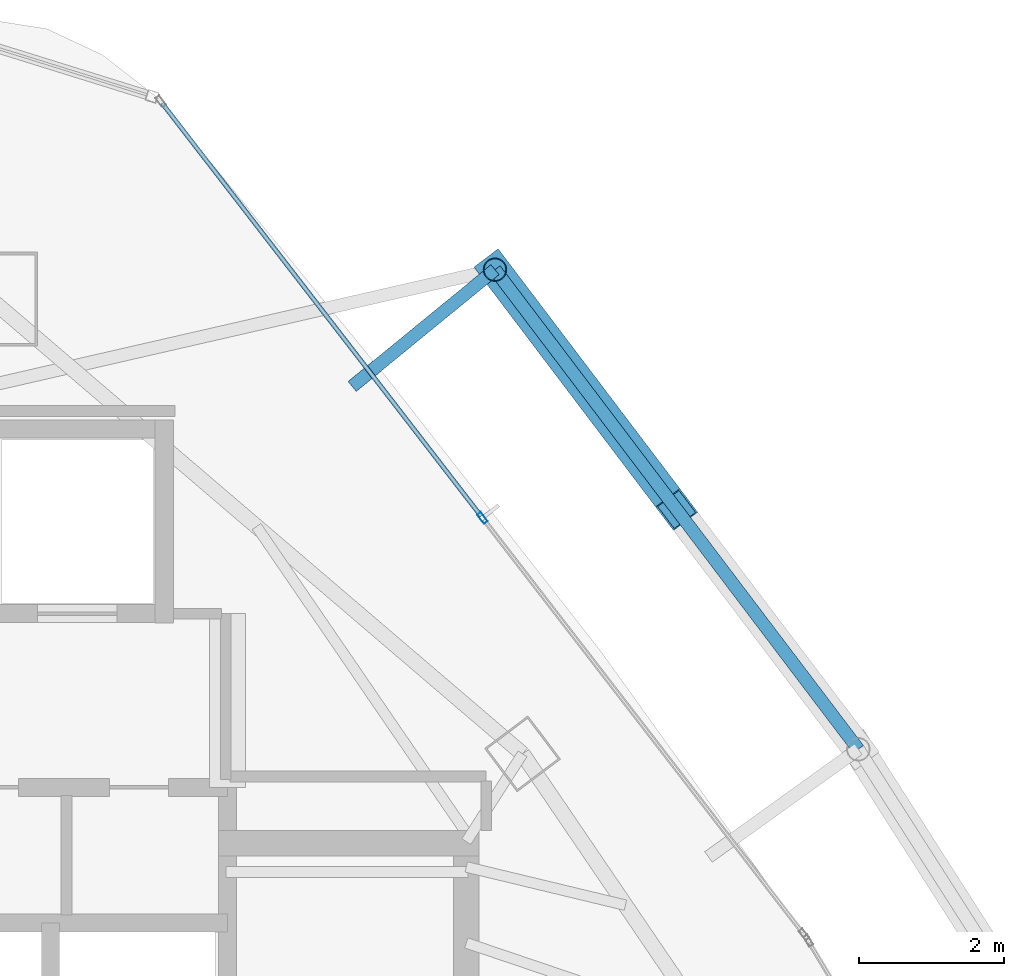
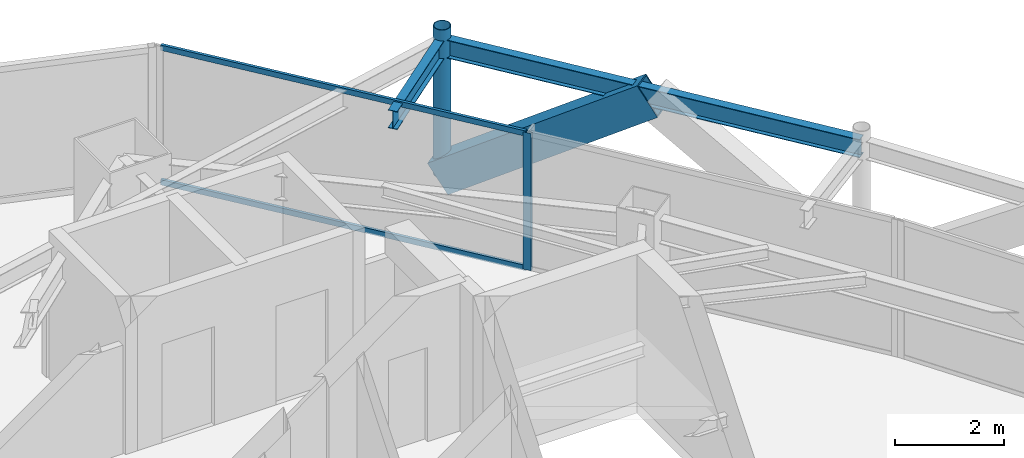
# One storey, part 23 of 30: 5 members, 2 beams, 1 element without a shape of its own.
"""IFC4 building model written with IfcOpenShell, lengths in metres."""

from ifc_helpers import new_model, si_unit, direction, frame, origin, origin_2d, place, context, subcontext, project, spatial, hollow_rectangle, hollow_circle, i_section, extrude, material, layer, layer_set, material_profile, profile_set, type_object, element, aggregate, save


model = new_model("IFC4")

# Units and contexts
model_context = context("Model", 3, precision=1e-05, world=origin(), true_north=direction((0.0, 1.0)))
body_context = subcontext(model_context, "Body", "Model", "MODEL_VIEW")
ifc_project = project(units=[si_unit("LENGTHUNIT", "METRE"), si_unit("AREAUNIT", "SQUARE_METRE"), si_unit("VOLUMEUNIT", "CUBIC_METRE"), si_unit("PLANEANGLEUNIT", "RADIAN"), si_unit("MASSUNIT", "GRAM", prefix="KILO")], contexts=[model_context])

# Site, building, storey
site_placement = place(None, origin())
site = spatial("IfcSite", under=ifc_project, at=site_placement, CompositionType="ELEMENT")
building_placement = place(site_placement, origin())
building = spatial("IfcBuilding", under=site, at=building_placement, Name="Orvanel Arch Residences", CompositionType="ELEMENT")
storey_placement = place(building_placement, frame((0.0, 0.0, 240.35009765625)))
storey = spatial("IfcBuildingStorey", under=building, at=storey_placement, Name="L68", CompositionType="ELEMENT", Elevation=240.35009765625)

# Member
ifc_material_1 = material(Name="Structural steel AS/NZS 3678 Grade 350", Category="steel")
ifc_material_profile_1 = material_profile(ifc_material_1, hollow_rectangle(XDim=0.419921875, YDim=0.719970703125, WallThickness=0.02490234375, at=origin_2d()), Name="RHS720x420x25")
ifc_profile_set_1 = profile_set([ifc_material_profile_1], Name="Structural steel AS/NZS 3678 Grade 350")
member_type_1 = type_object("IfcMemberType", Name="BR-720RHS-EXT", PredefinedType="BRACE", material=ifc_profile_set_1)
member_1_placement = place(storey_placement, frame((39.970947265625, 41.804931640625, 0.0), z_axis=(0.497679350494, -0.657023842587, 0.566246354835), x_axis=(0.797130679762, 0.603806822901, 0.0)))
element("IfcMember", 1, at=member_1_placement, inside=storey, type_object=member_type_1, Name="L68 Exterior Sky-Garden V-Frame Chevron F3B3.2", PredefinedType="BRACE", context=body_context, shape_type="SweptSolid", body=[
    extrude(hollow_rectangle(XDim=0.419921875, YDim=0.719970703125, WallThickness=0.02490234375, at=origin_2d()), origin(), (0.0, 0.0, 1.0), 5.04541015625),
])

# Curtain wall, member
ifc_material_2 = material(Name="Bronze-anodised aluminium AA6063-T6", Category="aluminium")
ifc_layer = layer(ifc_material_2, 0.175048828125)
ifc_layer_set = layer_set([ifc_layer], Name="Bronze-anodised aluminium AA6063-T6")
curtain_wall_type = type_object("IfcCurtainWallType", Name="CW4-HI-SYS", PredefinedType="NOTDEFINED", material=ifc_layer_set)
curtain_wall_placement = place(storey_placement, origin())
curtain_wall = element("IfcCurtainWall", 2, at=curtain_wall_placement, inside=storey, type_object=curtain_wall_type, Name="L68 CW4-HI-SYS Unitised Curtain Wall", PredefinedType="NOTDEFINED")
ifc_material_profile_2 = material_profile(ifc_material_2, hollow_rectangle(XDim=0.06494140625, YDim=0.159912109375, WallThickness=0.00390625, at=origin_2d()), Name="ALU160x65x4")
ifc_profile_set_2 = profile_set([ifc_material_profile_2], Name="Bronze-anodised aluminium AA6063-T6")
member_type_2 = type_object("IfcMemberType", Name="MUL-160x65", PredefinedType="MULLION", material=ifc_profile_set_2)
member_2_placement = place(storey_placement, frame((39.798095703125, 38.3740234375, 0.0), z_axis=(0.0, 0.0, 1.0), x_axis=(-0.791477630276, -0.611198135446, 0.0)))
member_2 = element("IfcMember", 3, at=member_2_placement, type_object=member_type_2, Name="CW-S4 mullion 2", PredefinedType="MULLION", context=body_context, shape_type="SweptSolid", body=[
    extrude(hollow_rectangle(XDim=0.06494140625, YDim=0.159912109375, WallThickness=0.00390625, at=origin_2d()), origin(), (0.0, 0.0, 1.0), 3.059814453125),
])

# Beams
ifc_material_3 = material(Name="Structural steel AS/NZS 3679.1 Grade 300 (300 MPa)", Category="steel")
ifc_material_profile_3 = material_profile(ifc_material_3, i_section(OverallWidth=0.177978515625, OverallDepth=0.406005859375, WebThickness=0.0078125, FlangeThickness=0.0126953125, at=origin_2d()), Name="410UB59.7")
ifc_profile_set_3 = profile_set([ifc_material_profile_3], Name="Structural steel AS/NZS 3679.1 Grade 300 (300 MPa)")
beam_type = type_object("IfcBeamType", Name="OB-410UB-EXT", PredefinedType="SPANDREL", material=ifc_profile_set_3)
beam_1_placement = place(storey_placement, frame((44.992919921875, 35.176025390625, 2.85693359375), z_axis=(-0.60386334005, 0.797087866263, 0.0), x_axis=(-0.797087866263, -0.60386334005, 0.0)))
element("IfcBeam", 4, at=beam_1_placement, inside=storey, type_object=beam_type, Name="L68 Outer Perimeter Floor Ring Beam 11", PredefinedType="SPANDREL", context=body_context, shape_type="SweptSolid", body=[
    extrude(i_section(OverallWidth=0.177978515625, OverallDepth=0.406005859375, WebThickness=0.0078125, FlangeThickness=0.0126953125, at=origin_2d()), origin(), (0.0, 0.0, 1.0), 8.31640625),
])
beam_2_placement = place(storey_placement, frame((37.9970703125, 40.19091796875, 2.85693359375), z_axis=(0.77414497463, 0.633008339799, 0.0), x_axis=(-0.633008339799, 0.77414497463, 0.0)))
element("IfcBeam", 5, at=beam_2_placement, inside=storey, type_object=beam_type, Name="L68 Outer Frame Radial Tie Beam 12", PredefinedType="SPANDREL", context=body_context, shape_type="SweptSolid", body=[
    extrude(i_section(OverallWidth=0.177978515625, OverallDepth=0.406005859375, WebThickness=0.0078125, FlangeThickness=0.0126953125, at=origin_2d()), origin(), (0.0, 0.0, 1.0), 2.5498046875),
])

# Member
ifc_material_4 = material(Name="Structural steel AS/NZS 1163 C350L0 (Grade 350)", Category="steel")
ifc_material_profile_4 = material_profile(ifc_material_4, hollow_circle(Radius=0.162109375, WallThickness=0.0126953125, at=origin_2d()), Name="CHS324x12.7")
ifc_profile_set_4 = profile_set([ifc_material_profile_4], Name="Structural steel AS/NZS 1163 C350L0 (Grade 350)")
member_type_3 = type_object("IfcMemberType", Name="ST-324CHS-EXT", PredefinedType="STRUT", material=ifc_profile_set_4)
member_3_placement = place(storey_placement, frame((39.970947265625, 41.804931640625, 0.0), z_axis=(0.0, 0.0, 1.0), x_axis=(1.0, 0.0, 0.0)))
element("IfcMember", 6, at=member_3_placement, inside=storey, type_object=member_type_3, Name="L68 Outer Perimeter Frame Post 12", PredefinedType="STRUT", context=body_context, shape_type="SweptSolid", body=[
    extrude(hollow_circle(Radius=0.162109375, WallThickness=0.0126953125, at=origin_2d()), origin(), (0.0, 0.0, 1.0), 3.2998046875),
])

ifc_material_profile_5 = material_profile(ifc_material_2, hollow_rectangle(XDim=0.06005859375, YDim=0.1201171875, WallThickness=0.00341796875, at=origin_2d()), Name="ALU120x60x3.5")
ifc_profile_set_5 = profile_set([ifc_material_profile_5], Name="Bronze-anodised aluminium AA6063-T6")
member_type_4 = type_object("IfcMemberType", Name="TRN-120x60", PredefinedType="USERDEFINED", material=ifc_profile_set_5)
member_4_placement = place(storey_placement, frame((39.778076171875, 38.399658203125, 0.02978515625), z_axis=(-0.611186219607, 0.791486831831, 0.0), x_axis=(-0.791486831831, -0.611186219607, 0.0)))
member_4 = element("IfcMember", 7, at=member_4_placement, type_object=member_type_4, Name="CW-S4 transom 2.1", ObjectType="TRANSOM", PredefinedType="USERDEFINED", context=body_context, shape_type="SweptSolid", body=[
    extrude(hollow_rectangle(XDim=0.06005859375, YDim=0.1201171875, WallThickness=0.00341796875, at=origin_2d()), origin(), (0.0, 0.0, 1.0), 7.207763671875),
])

member_5_placement = place(storey_placement, frame((39.778076171875, 38.399658203125, 3.02978515625), z_axis=(-0.611186219607, 0.791486831831, 0.0), x_axis=(-0.791486831831, -0.611186219607, 0.0)))
member_5 = element("IfcMember", 8, at=member_5_placement, type_object=member_type_4, Name="CW-S4 transom 2.2", ObjectType="TRANSOM", PredefinedType="USERDEFINED", context=body_context, shape_type="SweptSolid", body=[
    extrude(hollow_rectangle(XDim=0.06005859375, YDim=0.1201171875, WallThickness=0.00341796875, at=origin_2d()), origin(), (0.0, 0.0, 1.0), 7.207763671875),
])

aggregate(curtain_wall, [member_2, member_4, member_5])

save(model, "model.ifc")
